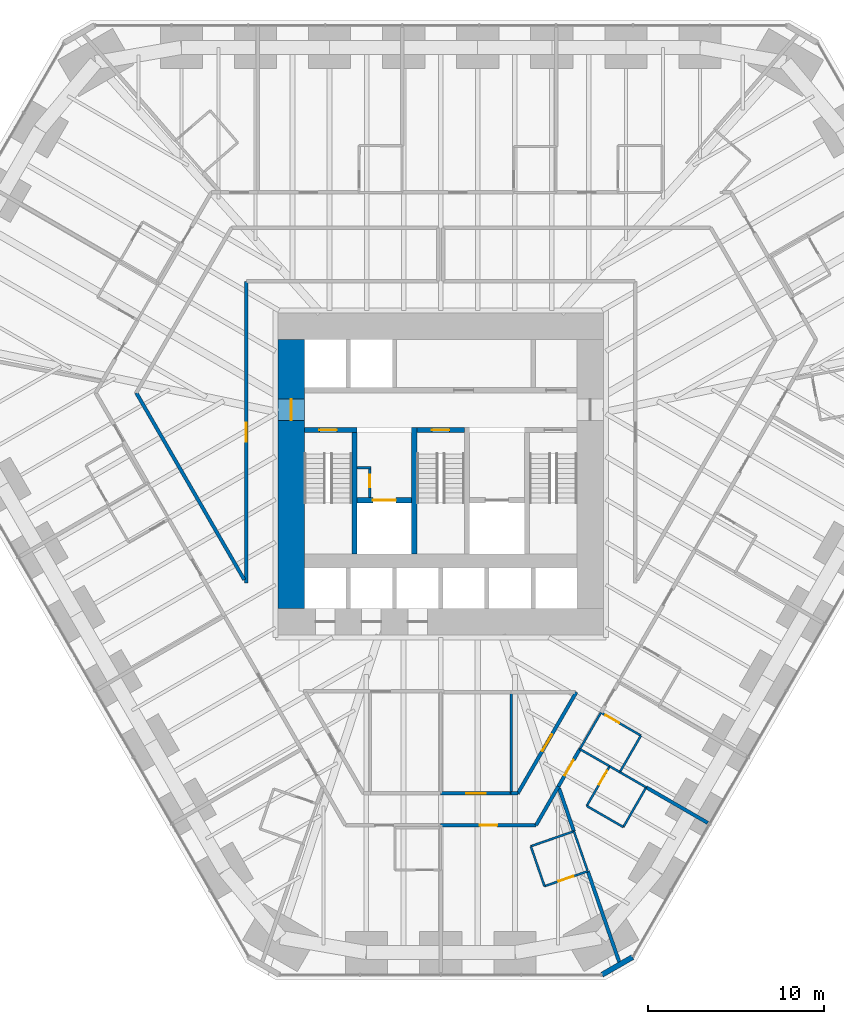
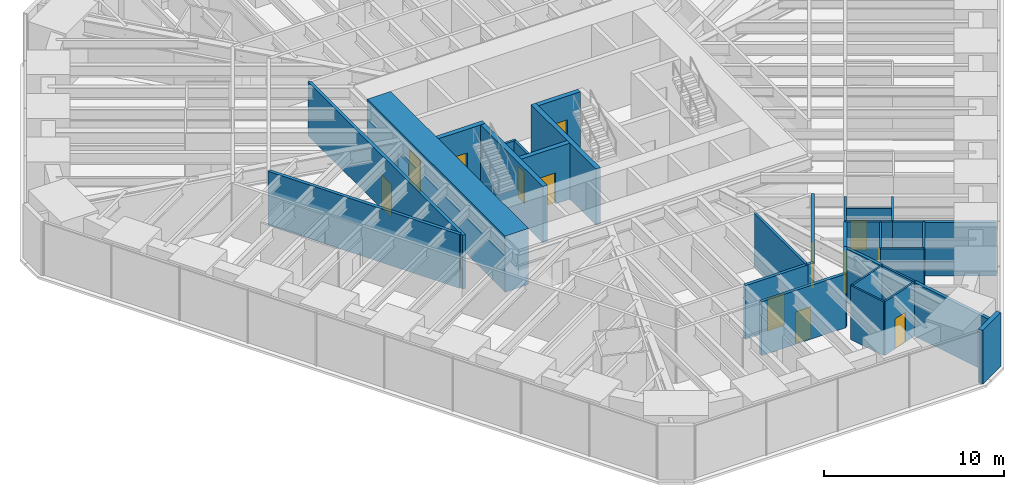
# One storey, part 12 of 17: 34 walls, 13 doors, 13 openings.
"""IFC4 building model written with IfcOpenShell, lengths in metres."""

from ifc_helpers import new_model, si_unit, direction, frame, frame_2d, origin, place, context, subcontext, project, spatial, rectangle, extrude, material, layer, layer_set, type_object, element, fill, save


model = new_model("IFC4")

# Units and contexts
model_context = context("Model", 3, precision=1e-05, world=origin(), true_north=direction((0.0, 1.0)))
body_context = subcontext(model_context, "Body", "Model", "MODEL_VIEW")
ifc_project = project(units=[si_unit("LENGTHUNIT", "METRE"), si_unit("AREAUNIT", "SQUARE_METRE"), si_unit("VOLUMEUNIT", "CUBIC_METRE"), si_unit("PLANEANGLEUNIT", "RADIAN"), si_unit("MASSUNIT", "GRAM", prefix="KILO")], contexts=[model_context])

# Site, building, storey
site_placement = place(None, origin())
site = spatial("IfcSite", under=ifc_project, at=site_placement, CompositionType="ELEMENT")
building_placement = place(site_placement, origin())
building = spatial("IfcBuilding", under=site, at=building_placement, Name="Sandreach Pilgrim Tower", CompositionType="ELEMENT")
storey_placement = place(building_placement, frame((0.0, 0.0, 34.39990234375)))
storey = spatial("IfcBuildingStorey", under=building, at=storey_placement, Name="L07", CompositionType="ELEMENT", Elevation=34.39990234375)

# Walls
ifc_material_1 = material(Name="Gypsum board on steel studs", Category="steel")
ifc_layer_1 = layer(ifc_material_1, 0.14990234375)
ifc_layer_set_1 = layer_set([ifc_layer_1], Name="Back of house wall 150")
wall_type_1 = type_object("IfcWallType", Name="Back of house wall 150", PredefinedType="PARTITIONING", material=ifc_layer_set_1)
wall_1_placement = place(storey_placement, frame((4.0, -13.949951171875, 0.0), z_axis=(0.0, 0.0, 1.0), x_axis=(0.0, -1.0, 0.0)))
element("IfcWall", 1, at=wall_1_placement, inside=storey, type_object=wall_type_1, Name="Back of house wall L07-075", PredefinedType="PARTITIONING", context=body_context, shape_type="SweptSolid", body=[
    extrude(rectangle(XDim=5.760009765625, YDim=0.14990234375, at=frame_2d((2.8798828125, 0.0))), origin(), (0.0, 0.0, 1.0), 3.64013671875),
])
ifc_material_2 = material(Name="Moisture-resistant gypsum board on steel studs", Category="steel")
ifc_layer_2 = layer(ifc_material_2, 0.1201171875)
ifc_layer_set_2 = layer_set([ifc_layer_2], Name="Bathroom partition 120")
wall_type_2 = type_object("IfcWallType", Name="Bathroom partition 120", PredefinedType="PARTITIONING", material=ifc_layer_set_2)
wall_2_placement = place(storey_placement, frame((5.1201171875, -22.7099609375, 0.0), z_axis=(0.0, 0.0, 1.0), x_axis=(0.324880771143, -0.945754981241, 0.0)))
element("IfcWall", 2, at=wall_2_placement, inside=storey, type_object=wall_type_2, Name="Bathroom partition L07-080", PredefinedType="PARTITIONING", context=body_context, shape_type="SweptSolid", body=[
    extrude(rectangle(XDim=2.400146484375, YDim=0.1201171875, at=frame_2d((1.2001953125, 0.0))), origin(), (0.0, 0.0, 1.0), 3.64013671875),
])

# Wall, opening, door
wall_3_placement = place(storey_placement, frame((5.89990234375, -24.97998046875, 0.0), z_axis=(0.0, 0.0, 1.0), x_axis=(0.945165466094, 0.326591857987, 0.0)))
wall_3 = element("IfcWall", 3, at=wall_3_placement, inside=storey, type_object=wall_type_2, Name="Bathroom partition L07-082", PredefinedType="PARTITIONING", context=body_context, shape_type="SweptSolid", body=[
    extrude(rectangle(XDim=2.60302734375, YDim=0.1201171875, at=frame_2d((1.301513671875, 0.0))), origin(), (0.0, 0.0, 1.0), 3.64013671875),
])
opening_1_placement = place(wall_3_placement, frame((0.85009765625, 0.0, 0.0)))
opening_1 = element("IfcOpeningElement", 4, at=opening_1_placement, cuts=wall_3, Name="Opening D09-12B", PredefinedType="OPENING", context=body_context, shape_type="SweptSolid", body=[
    extrude(rectangle(XDim=0.89990234375, YDim=2.030029296875, at=frame_2d((0.449951171875, 1.01513671875))), frame((0.0, 0.06005859375, 0.0), z_axis=(0.0, -1.0, 0.0), x_axis=(1.0, 0.0, 0.0)), (0.0, 0.0, 1.0), 0.1201171875),
])
ifc_material_3 = material(Name="Timber door, steel frame", Category="steel")
door_type_1 = type_object("IfcDoorType", Name="Bathroom door", OperationType="SINGLE_SWING_LEFT", PredefinedType="DOOR", material=ifc_material_3)
door_1_placement = place(opening_1_placement, origin())
door_1 = element("IfcDoor", 5, at=door_1_placement, inside=storey, type_object=door_type_1, Name="Door 0712B", OperationType="SINGLE_SWING_LEFT", OverallHeight=2.030029296875, OverallWidth=0.89990234375, PredefinedType="DOOR", context=body_context, shape_type="SweptSolid", body=[
    extrude(rectangle(XDim=0.89990234375, YDim=2.030029296875, at=frame_2d((0.449951171875, 1.01513671875))), frame((0.0, 0.02490234375, 0.0), z_axis=(0.0, -1.0, 0.0), x_axis=(1.0, 0.0, 0.0)), (0.0, 0.0, 1.0), 0.050048828125),
])
fill(opening_1, door_1)

# Walls
wall_4_placement = place(storey_placement, frame((7.570068359375, -21.860107421875, 0.0), z_axis=(0.0, 0.0, 1.0), x_axis=(-0.944782191137, -0.327698964463, 0.0)))
element("IfcWall", 6, at=wall_4_placement, inside=storey, type_object=wall_type_2, Name="Bathroom partition L07-089", PredefinedType="PARTITIONING", context=body_context, shape_type="SweptSolid", body=[
    extrude(rectangle(XDim=2.593505859375, YDim=0.1201171875, at=frame_2d((1.296875, 0.0))), origin(), (0.0, 0.0, 1.0), 3.64013671875),
])
wall_5_placement = place(storey_placement, frame((7.570068359375, -21.860107421875, 0.0), z_axis=(0.0, 0.0, 1.0), x_axis=(0.327706459026, -0.944779591605, 0.0)))
element("IfcWall", 7, at=wall_5_placement, inside=storey, type_object=wall_type_2, Name="Bathroom partition L07-090", PredefinedType="PARTITIONING", context=body_context, shape_type="SweptSolid", body=[
    extrude(rectangle(XDim=2.349609375, YDim=0.1201171875, at=frame_2d((1.1748046875, 0.0))), origin(), (0.0, 0.0, 1.0), 3.64013671875),
])
wall_6_placement = place(storey_placement, frame((7.909912109375, -17.18994140625, 0.0), z_axis=(0.0, 0.0, 1.0), x_axis=(0.499737123639, 0.866177122335, 0.0)))
element("IfcWall", 8, at=wall_6_placement, inside=storey, type_object=wall_type_2, Name="Bathroom partition L07-092", PredefinedType="PARTITIONING", context=body_context, shape_type="SweptSolid", body=[
    extrude(rectangle(XDim=2.401123046875, YDim=0.1201171875, at=frame_2d((1.20068359375, 0.0))), origin(), (0.0, 0.0, 1.0), 3.64013671875),
])
wall_7_placement = place(storey_placement, frame((7.909912109375, -17.18994140625, 0.0), z_axis=(0.0, 0.0, 1.0), x_axis=(0.8673242112, -0.497743621421, 0.0)))
element("IfcWall", 9, at=wall_7_placement, inside=storey, type_object=wall_type_2, Name="Bathroom partition L07-093", PredefinedType="PARTITIONING", context=body_context, shape_type="SweptSolid", body=[
    extrude(rectangle(XDim=1.94873046875, YDim=0.1201171875, at=frame_2d((0.974365234375, 0.0))), origin(), (0.0, 0.0, 1.0), 3.64013671875),
])
wall_8_placement = place(storey_placement, frame((8.300048828125, -20.419921875, 0.0), z_axis=(0.0, 0.0, 1.0), x_axis=(0.866177122335, -0.499737123639, 0.0)))
element("IfcWall", 10, at=wall_8_placement, inside=storey, type_object=wall_type_2, Name="Bathroom partition L07-094", PredefinedType="PARTITIONING", context=body_context, shape_type="SweptSolid", body=[
    extrude(rectangle(XDim=2.401123046875, YDim=0.1201171875, at=frame_2d((1.20068359375, 0.0))), origin(), (0.0, 0.0, 1.0), 3.64013671875),
])

# Wall, opening, door
wall_9_placement = place(storey_placement, frame((9.60009765625, -18.159912109375, 0.0), z_axis=(0.0, 0.0, 1.0), x_axis=(-0.498627694264, -0.866816256489, 0.0)))
wall_9 = element("IfcWall", 11, at=wall_9_placement, inside=storey, type_object=wall_type_2, Name="Bathroom partition L07-097", PredefinedType="PARTITIONING", context=body_context, shape_type="SweptSolid", body=[
    extrude(rectangle(XDim=2.607177734375, YDim=0.1201171875, at=frame_2d((1.3037109375, 0.0))), origin(), (0.0, 0.0, 1.0), 3.64013671875),
])
opening_2_placement = place(wall_9_placement, frame((0.300048828125, 0.0, 0.0)))
opening_2 = element("IfcOpeningElement", 12, at=opening_2_placement, cuts=wall_9, Name="Opening D09-11B", PredefinedType="OPENING", context=body_context, shape_type="SweptSolid", body=[
    extrude(rectangle(XDim=0.89990234375, YDim=2.030029296875, at=frame_2d((0.449951171875, 1.01513671875))), frame((0.0, 0.06005859375, 0.0), z_axis=(0.0, -1.0, 0.0), x_axis=(1.0, 0.0, 0.0)), (0.0, 0.0, 1.0), 0.1201171875),
])
door_2_placement = place(opening_2_placement, origin())
door_2 = element("IfcDoor", 13, at=door_2_placement, inside=storey, type_object=door_type_1, Name="Door 0711B", OperationType="SINGLE_SWING_LEFT", OverallHeight=2.030029296875, OverallWidth=0.89990234375, PredefinedType="DOOR", context=body_context, shape_type="SweptSolid", body=[
    extrude(rectangle(XDim=0.89990234375, YDim=2.030029296875, at=frame_2d((0.449951171875, 1.01513671875))), frame((0.0, 0.02490234375, 0.0), z_axis=(0.0, -1.0, 0.0), x_axis=(1.0, 0.0, 0.0)), (0.0, 0.0, 1.0), 0.050048828125),
])
fill(opening_2, door_2)

# Walls
wall_10_placement = place(storey_placement, frame((9.60009765625, -18.159912109375, 0.0), z_axis=(0.0, 0.0, 1.0), x_axis=(0.862577739272, -0.505924543497, 0.0)))
element("IfcWall", 14, at=wall_10_placement, inside=storey, type_object=wall_type_2, Name="Bathroom partition L07-098", PredefinedType="PARTITIONING", context=body_context, shape_type="SweptSolid", body=[
    extrude(rectangle(XDim=0.672119140625, YDim=0.1201171875, at=frame_2d((0.3359375, 0.0))), origin(), (0.0, 0.0, 1.0), 3.64013671875),
])
wall_11_placement = place(storey_placement, frame((10.179931640625, -18.5, 0.0), z_axis=(0.0, 0.0, 1.0), x_axis=(0.499693115345, 0.866202511239, 0.0)))
element("IfcWall", 15, at=wall_11_placement, inside=storey, type_object=wall_type_2, Name="Bathroom partition L07-103", PredefinedType="PARTITIONING", context=body_context, shape_type="SweptSolid", body=[
    extrude(rectangle(XDim=2.4013671875, YDim=0.1201171875, at=frame_2d((1.20068359375, 0.0))), origin(), (0.0, 0.0, 1.0), 3.64013671875),
])
wall_12_placement = place(storey_placement, frame((10.179931640625, -18.5, 0.0), z_axis=(0.0, 0.0, 1.0), x_axis=(0.867564547129, -0.497324598794, 0.0)))
element("IfcWall", 16, at=wall_12_placement, inside=storey, type_object=wall_type_2, Name="Bathroom partition L07-104", PredefinedType="PARTITIONING", context=body_context, shape_type="SweptSolid", body=[
    extrude(rectangle(XDim=1.72900390625, YDim=0.1201171875, at=frame_2d((0.864501953125, 0.0))), origin(), (0.0, 0.0, 1.0), 3.64013671875),
])
wall_13_placement = place(storey_placement, frame((10.3798828125, -21.6201171875, 0.0), z_axis=(0.0, 0.0, 1.0), x_axis=(0.498627694264, 0.866816256489, 0.0)))
element("IfcWall", 17, at=wall_13_placement, inside=storey, type_object=wall_type_2, Name="Bathroom partition L07-105", PredefinedType="PARTITIONING", context=body_context, shape_type="SweptSolid", body=[
    extrude(rectangle(XDim=2.607177734375, YDim=0.1201171875, at=frame_2d((1.3037109375, 0.0))), origin(), (0.0, 0.0, 1.0), 3.64013671875),
])

# Wall, opening, door
wall_14_placement = place(storey_placement, frame((11.3798828125, -16.419921875, 0.0), z_axis=(0.0, 0.0, 1.0), x_axis=(-0.866154567199, 0.49977621564, 0.0)))
wall_14 = element("IfcWall", 18, at=wall_14_placement, inside=storey, type_object=wall_type_2, Name="Bathroom partition L07-109", PredefinedType="PARTITIONING", context=body_context, shape_type="SweptSolid", body=[
    extrude(rectangle(XDim=2.620849609375, YDim=0.1201171875, at=frame_2d((1.310546875, 0.0))), origin(), (0.0, 0.0, 1.0), 2.878173828125),
])
opening_3_placement = place(wall_14_placement, frame((1.4208984375, 0.0, 0.0)))
opening_3 = element("IfcOpeningElement", 19, at=opening_3_placement, cuts=wall_14, Name="Opening D09-10B", PredefinedType="OPENING", context=body_context, shape_type="SweptSolid", body=[
    extrude(rectangle(XDim=0.89990234375, YDim=2.030029296875, at=frame_2d((0.449951171875, 1.01513671875))), frame((0.0, 0.06005859375, 0.0), z_axis=(0.0, -1.0, 0.0), x_axis=(1.0, 0.0, 0.0)), (0.0, 0.0, 1.0), 0.1201171875),
])
door_3_placement = place(opening_3_placement, origin())
door_3 = element("IfcDoor", 20, at=door_3_placement, inside=storey, type_object=door_type_1, Name="Door 0710B", OperationType="SINGLE_SWING_RIGHT", OverallHeight=2.030029296875, OverallWidth=0.89990234375, PredefinedType="DOOR", context=body_context, shape_type="SweptSolid", body=[
    extrude(rectangle(XDim=0.89990234375, YDim=2.030029296875, at=frame_2d((0.449951171875, 1.01513671875))), frame((0.0, 0.02490234375, 0.0), z_axis=(0.0, -1.0, 0.0), x_axis=(1.0, 0.0, 0.0)), (0.0, 0.0, 1.0), 0.050048828125),
])
fill(opening_3, door_3)

# Walls
ifc_material_4 = material(Name="Concrete 10000 psi", Category="concrete")
ifc_layer_3 = layer(ifc_material_4, 0.300048828125)
ifc_layer_set_3 = layer_set([ifc_layer_3], Name="Core inner wall 300")
wall_type_3 = type_object("IfcWallType", Name="Core inner wall 300", PredefinedType="SHEAR", material=ifc_layer_set_3)
for number, where, z_axis, x_axis, name in (
    (21, (-4.89990234375, -6.10009765625, 0.0), (0.0, 0.0, 1.0), (0.0, 1.0, 0.0), "Core wall I0 L07"),
    (22, (-1.5, -6.10009765625, 0.0), (0.0, 0.0, 1.0), (0.0, 1.0, 0.0), "Core wall I1 L07"),
):
    element("IfcWall", number, at=place(storey_placement, frame(where, z_axis=z_axis, x_axis=x_axis)), inside=storey, type_object=wall_type_3, Name=name, PredefinedType="SHEAR", context=body_context, shape_type="SweptSolid", body=[
        extrude(rectangle(XDim=7.2001953125, YDim=0.300048828125, at=frame_2d((3.60009765625, 0.0))), origin(), (0.0, 0.0, 1.0), 3.800048828125),
    ])

# Wall, opening, door
wall_15_placement = place(storey_placement, frame((-7.75, 0.949951171875, 0.0), z_axis=(0.0, 0.0, 1.0), x_axis=(1.0, 0.0, 0.0)))
wall_15 = element("IfcWall", 23, at=wall_15_placement, inside=storey, type_object=wall_type_3, Name="Core wall SN1 L07", PredefinedType="SHEAR", context=body_context, shape_type="SweptSolid", body=[
    extrude(rectangle(XDim=3.0, YDim=0.300048828125, at=frame_2d((1.5, 0.0))), origin(), (0.0, 0.0, 1.0), 3.800048828125),
])
opening_4_placement = place(wall_15_placement, frame((0.85009765625, 0.0, 0.0)))
opening_4 = element("IfcOpeningElement", 24, at=opening_4_placement, cuts=wall_15, Name="Opening D10S-ST1", PredefinedType="OPENING", context=body_context, shape_type="SweptSolid", body=[
    extrude(rectangle(XDim=1.0, YDim=2.199951171875, at=frame_2d((0.5, 1.10009765625))), frame((0.0, 0.14990234375, 0.0), z_axis=(0.0, -1.0, 0.0), x_axis=(1.0, 0.0, 0.0)), (0.0, 0.0, 1.0), 0.300048828125),
])
ifc_material_5 = material(Name="Steel door and frame", Category="steel")
door_type_2 = type_object("IfcDoorType", Name="Stair door", OperationType="SINGLE_SWING_LEFT", PredefinedType="DOOR", material=ifc_material_5)
door_4_placement = place(opening_4_placement, origin())
door_4 = element("IfcDoor", 25, at=door_4_placement, inside=storey, type_object=door_type_2, Name="Stair door ST1 L07", OperationType="SINGLE_SWING_LEFT", OverallHeight=2.199951171875, OverallWidth=1.0, PredefinedType="DOOR", context=body_context, shape_type="SweptSolid", body=[
    extrude(rectangle(XDim=1.0, YDim=2.199951171875, at=frame_2d((0.5, 1.10009765625))), frame((0.0, 0.02490234375, 0.0), z_axis=(0.0, -1.0, 0.0), x_axis=(1.0, 0.0, 0.0)), (0.0, 0.0, 1.0), 0.050048828125),
])
fill(opening_4, door_4)

wall_16_placement = place(storey_placement, frame((-1.35009765625, 0.949951171875, 0.0), z_axis=(0.0, 0.0, 1.0), x_axis=(1.0, 0.0, 0.0)))
wall_16 = element("IfcWall", 26, at=wall_16_placement, inside=storey, type_object=wall_type_3, Name="Core wall SN3 L07", PredefinedType="SHEAR", context=body_context, shape_type="SweptSolid", body=[
    extrude(rectangle(XDim=2.7001953125, YDim=0.300048828125, at=frame_2d((1.35009765625, 0.0))), origin(), (0.0, 0.0, 1.0), 3.800048828125),
])
opening_5_placement = place(wall_16_placement, frame((0.85009765625, 0.0, 0.0)))
opening_5 = element("IfcOpeningElement", 27, at=opening_5_placement, cuts=wall_16, Name="Opening D10S-ST3", PredefinedType="OPENING", context=body_context, shape_type="SweptSolid", body=[
    extrude(rectangle(XDim=1.0, YDim=2.199951171875, at=frame_2d((0.5, 1.10009765625))), frame((0.0, 0.14990234375, 0.0), z_axis=(0.0, -1.0, 0.0), x_axis=(1.0, 0.0, 0.0)), (0.0, 0.0, 1.0), 0.300048828125),
])
door_5_placement = place(opening_5_placement, origin())
door_5 = element("IfcDoor", 28, at=door_5_placement, inside=storey, type_object=door_type_2, Name="Stair door ST3 L07", OperationType="SINGLE_SWING_LEFT", OverallHeight=2.199951171875, OverallWidth=1.0, PredefinedType="DOOR", context=body_context, shape_type="SweptSolid", body=[
    extrude(rectangle(XDim=1.0, YDim=2.199951171875, at=frame_2d((0.5, 1.10009765625))), frame((0.0, 0.02490234375, 0.0), z_axis=(0.0, -1.0, 0.0), x_axis=(1.0, 0.0, 0.0)), (0.0, 0.0, 1.0), 0.050048828125),
])
fill(opening_5, door_5)

wall_17_placement = place(storey_placement, frame((-4.75, -3.050048828125, 0.0), z_axis=(0.0, 0.0, 1.0), x_axis=(1.0, 0.0, 0.0)))
wall_17 = element("IfcWall", 29, at=wall_17_placement, inside=storey, type_object=wall_type_3, Name="Core wall FL1 L07", PredefinedType="SHEAR", context=body_context, shape_type="SweptSolid", body=[
    extrude(rectangle(XDim=3.10009765625, YDim=0.300048828125, at=frame_2d((1.550048828125, 0.0))), origin(), (0.0, 0.0, 1.0), 3.800048828125),
])
opening_6_placement = place(wall_17_placement, frame((0.89990234375, 0.0, 0.0)))
opening_6 = element("IfcOpeningElement", 30, at=opening_6_placement, cuts=wall_17, Name="Opening LD13", PredefinedType="OPENING", context=body_context, shape_type="SweptSolid", body=[
    extrude(rectangle(XDim=1.300048828125, YDim=2.10009765625, at=frame_2d((0.64990234375, 1.050048828125))), frame((0.0, 0.14990234375, 0.0), z_axis=(0.0, -1.0, 0.0), x_axis=(1.0, 0.0, 0.0)), (0.0, 0.0, 1.0), 0.300048828125),
])
ifc_material_6 = material(Name="Steel door and frame", Category="steel")
door_type_3 = type_object("IfcDoorType", Name="Fire service lift landing door", OperationType="DOUBLE_DOOR_SLIDING", PredefinedType="DOOR", material=ifc_material_6)
door_6_placement = place(opening_6_placement, origin())
door_6 = element("IfcDoor", 31, at=door_6_placement, inside=storey, type_object=door_type_3, Name="Lift landing door FS1 L07", OperationType="DOUBLE_DOOR_SLIDING", OverallHeight=2.10009765625, OverallWidth=1.300048828125, PredefinedType="DOOR", context=body_context, shape_type="SweptSolid", body=[
    extrude(rectangle(XDim=1.300048828125, YDim=2.10009765625, at=frame_2d((0.64990234375, 1.050048828125))), frame((0.0, 0.02490234375, 0.0), z_axis=(0.0, -1.0, 0.0), x_axis=(1.0, 0.0, 0.0)), (0.0, 0.0, 1.0), 0.050048828125),
])
fill(opening_6, door_6)

ifc_material_7 = material(Name="Concrete 10000 psi", Category="concrete")
ifc_layer_4 = layer(ifc_material_7, 1.5)
ifc_layer_set_4 = layer_set([ifc_layer_4], Name="Core wall 1500")
wall_type_4 = type_object("IfcWallType", Name="Core wall 1500", PredefinedType="SHEAR", material=ifc_layer_set_4)
wall_18_placement = place(storey_placement, frame((-8.5, -9.199951171875, 0.0), z_axis=(0.0, 0.0, 1.0), x_axis=(0.0, 1.0, 0.0)))
wall_18 = element("IfcWall", 32, at=wall_18_placement, inside=storey, type_object=wall_type_4, Name="Core wall W L07", PredefinedType="SHEAR", context=body_context, shape_type="SweptSolid", body=[
    extrude(rectangle(XDim=15.300048828125, YDim=1.5, at=frame_2d((7.64990234375, 0.0))), origin(), (0.0, 0.0, 1.0), 3.800048828125),
])
opening_7_placement = place(wall_18_placement, frame((10.699951171875, 0.0, 0.0)))
opening_7 = element("IfcOpeningElement", 33, at=opening_7_placement, cuts=wall_18, Name="Opening D12F-W", PredefinedType="OPENING", context=body_context, shape_type="SweptSolid", body=[
    extrude(rectangle(XDim=1.199951171875, YDim=2.199951171875, at=frame_2d((0.60009765625, 1.10009765625))), frame((0.0, 0.75, 0.0), z_axis=(0.0, -1.0, 0.0), x_axis=(1.0, 0.0, 0.0)), (0.0, 0.0, 1.0), 1.5),
])
ifc_material_8 = material(Name="Steel door and frame", Category="steel")
door_type_4 = type_object("IfcDoorType", Name="Fire lobby door", OperationType="SINGLE_SWING_LEFT", PredefinedType="DOOR", material=ifc_material_8)
door_7_placement = place(opening_7_placement, origin())
door_7 = element("IfcDoor", 34, at=door_7_placement, inside=storey, type_object=door_type_4, Name="Fire service lobby door W L07", OperationType="SINGLE_SWING_RIGHT", OverallHeight=2.199951171875, OverallWidth=1.199951171875, PredefinedType="DOOR", context=body_context, shape_type="SweptSolid", body=[
    extrude(rectangle(XDim=1.199951171875, YDim=2.199951171875, at=frame_2d((0.60009765625, 1.10009765625))), frame((0.0, 0.02490234375, 0.0), z_axis=(0.0, -1.0, 0.0), x_axis=(1.0, 0.0, 0.0)), (0.0, 0.0, 1.0), 0.050048828125),
])
fill(opening_7, door_7)

# Wall
ifc_material_9 = material(Name="Gypsum board on steel studs, two layers each side", Category="steel")
ifc_layer_5 = layer(ifc_material_9, 0.199951171875)
ifc_layer_set_5 = layer_set([ifc_layer_5], Name="Corridor wall 200")
wall_type_5 = type_object("IfcWallType", Name="Corridor wall 200", PredefinedType="PARTITIONING", material=ifc_layer_set_5)
wall_19_placement = place(storey_placement, frame((-11.16015625, -7.569580078125, 0.0), z_axis=(0.0, 0.0, 1.0), x_axis=(-0.500175206663, 0.865924224537, 0.0)))
element("IfcWall", 35, at=wall_19_placement, inside=storey, type_object=wall_type_5, Name="Corridor wall L07-037", PredefinedType="PARTITIONING", context=body_context, shape_type="SweptSolid", body=[
    extrude(rectangle(XDim=12.275390625, YDim=0.199951171875, at=frame_2d((6.1376953125, 0.0))), origin(), (0.0, 0.0, 1.0), 3.64013671875),
])

# Wall, opening, door
wall_20_placement = place(storey_placement, frame((-11.050048828125, 9.39990234375, 0.0), z_axis=(0.0, 0.0, 1.0), x_axis=(0.0, -1.0, 0.0)))
wall_20 = element("IfcWall", 36, at=wall_20_placement, inside=storey, type_object=wall_type_5, Name="Corridor wall L07-038", PredefinedType="PARTITIONING", context=body_context, shape_type="SweptSolid", body=[
    extrude(rectangle(XDim=17.159912109375, YDim=0.199951171875, at=frame_2d((8.580078125, 0.0))), origin(), (0.0, 0.0, 1.0), 3.64013671875),
])
opening_8_placement = place(wall_20_placement, frame((8.030029296875, 0.0, 0.0)))
opening_8 = element("IfcOpeningElement", 37, at=opening_8_placement, cuts=wall_20, Name="Opening D11H-M1", PredefinedType="OPENING", context=body_context, shape_type="SweptSolid", body=[
    extrude(rectangle(XDim=1.10009765625, YDim=2.199951171875, at=frame_2d((0.550048828125, 1.10009765625))), frame((0.0, 0.10009765625, 0.0), z_axis=(0.0, -1.0, 0.0), x_axis=(1.0, 0.0, 0.0)), (0.0, 0.0, 1.0), 0.199951171875),
])
ifc_material_10 = material(Name="Steel door and frame", Category="steel")
door_type_5 = type_object("IfcDoorType", Name="Back of house door", OperationType="SINGLE_SWING_LEFT", PredefinedType="DOOR", material=ifc_material_10)
door_8_placement = place(opening_8_placement, origin())
door_8 = element("IfcDoor", 38, at=door_8_placement, inside=storey, type_object=door_type_5, Name="Door 07M1", OperationType="SINGLE_SWING_LEFT", OverallHeight=2.199951171875, OverallWidth=1.10009765625, PredefinedType="DOOR", context=body_context, shape_type="SweptSolid", body=[
    extrude(rectangle(XDim=1.10009765625, YDim=2.199951171875, at=frame_2d((0.550048828125, 1.10009765625))), frame((0.0, 0.02490234375, 0.0), z_axis=(0.0, -1.0, 0.0), x_axis=(1.0, 0.0, 0.0)), (0.0, 0.0, 1.0), 0.050048828125),
])
fill(opening_8, door_8)

wall_21_placement = place(storey_placement, frame((0.0, -21.510009765625, 0.0), z_axis=(0.0, 0.0, 1.0), x_axis=(1.0, 0.0, 0.0)))
wall_21 = element("IfcWall", 39, at=wall_21_placement, inside=storey, type_object=wall_type_5, Name="Corridor wall L07-067", PredefinedType="PARTITIONING", context=body_context, shape_type="SweptSolid", body=[
    extrude(rectangle(XDim=5.419921875, YDim=0.199951171875, at=frame_2d((2.7099609375, 0.0))), origin(), (0.0, 0.0, 1.0), 3.64013671875),
])
opening_9_placement = place(wall_21_placement, frame((2.2099609375, 0.0, 0.0)))
opening_9 = element("IfcOpeningElement", 40, at=opening_9_placement, cuts=wall_21, Name="Opening D10-12", PredefinedType="OPENING", context=body_context, shape_type="SweptSolid", body=[
    extrude(rectangle(XDim=1.0, YDim=2.1298828125, at=frame_2d((0.5, 1.06494140625))), frame((0.0, 0.10009765625, 0.0), z_axis=(0.0, -1.0, 0.0), x_axis=(1.0, 0.0, 0.0)), (0.0, 0.0, 1.0), 0.199951171875),
])
ifc_material_11 = material(Name="Steel door and frame", Category="steel")
door_type_6 = type_object("IfcDoorType", Name="Guest room entry door", OperationType="SINGLE_SWING_LEFT", PredefinedType="DOOR", material=ifc_material_11)
door_9_placement = place(opening_9_placement, origin())
door_9 = element("IfcDoor", 41, at=door_9_placement, inside=storey, type_object=door_type_6, Name="Door 0712", OperationType="SINGLE_SWING_LEFT", OverallHeight=2.1298828125, OverallWidth=1.0, PredefinedType="DOOR", context=body_context, shape_type="SweptSolid", body=[
    extrude(rectangle(XDim=1.0, YDim=2.1298828125, at=frame_2d((0.5, 1.06494140625))), frame((0.0, 0.02490234375, 0.0), z_axis=(0.0, -1.0, 0.0), x_axis=(1.0, 0.0, 0.0)), (0.0, 0.0, 1.0), 0.050048828125),
])
fill(opening_9, door_9)

wall_22_placement = place(storey_placement, frame((4.0, -19.7099609375, 0.0), z_axis=(0.0, 0.0, 1.0), x_axis=(-1.0, 0.0, 0.0)))
wall_22 = element("IfcWall", 42, at=wall_22_placement, inside=storey, type_object=wall_type_5, Name="Corridor wall L07-074", PredefinedType="PARTITIONING", context=body_context, shape_type="SweptSolid", body=[
    extrude(rectangle(XDim=4.0, YDim=0.199951171875, at=frame_2d((2.0, 0.0))), origin(), (0.0, 0.0, 1.0), 3.64013671875),
])
opening_10_placement = place(wall_22_placement, frame((1.449951171875, 0.0, 0.0)))
opening_10 = element("IfcOpeningElement", 43, at=opening_10_placement, cuts=wall_22, Name="Opening D11H-S3", PredefinedType="OPENING", context=body_context, shape_type="SweptSolid", body=[
    extrude(rectangle(XDim=1.10009765625, YDim=2.199951171875, at=frame_2d((0.550048828125, 1.10009765625))), frame((0.0, 0.10009765625, 0.0), z_axis=(0.0, -1.0, 0.0), x_axis=(1.0, 0.0, 0.0)), (0.0, 0.0, 1.0), 0.199951171875),
])
door_10_placement = place(opening_10_placement, origin())
door_10 = element("IfcDoor", 44, at=door_10_placement, inside=storey, type_object=door_type_5, Name="Door 07S3", OperationType="SINGLE_SWING_LEFT", OverallHeight=2.199951171875, OverallWidth=1.10009765625, PredefinedType="DOOR", context=body_context, shape_type="SweptSolid", body=[
    extrude(rectangle(XDim=1.10009765625, YDim=2.199951171875, at=frame_2d((0.550048828125, 1.10009765625))), frame((0.0, 0.02490234375, 0.0), z_axis=(0.0, -1.0, 0.0), x_axis=(1.0, 0.0, 0.0)), (0.0, 0.0, 1.0), 0.050048828125),
])
fill(opening_10, door_10)

# Walls
wall_23_placement = place(storey_placement, frame((4.3798828125, -19.7099609375, 0.0), z_axis=(0.0, 0.0, 1.0), x_axis=(-1.0, 0.0, 0.0)))
element("IfcWall", 45, at=wall_23_placement, inside=storey, type_object=wall_type_5, Name="Corridor wall L07-079", PredefinedType="PARTITIONING", context=body_context, shape_type="SweptSolid", body=[
    extrude(rectangle(XDim=0.3798828125, YDim=0.199951171875, at=frame_2d((0.18994140625, 0.0))), origin(), (0.0, 0.0, 1.0), 3.64013671875),
])
wall_24_placement = place(storey_placement, frame((5.419921875, -21.510009765625, 0.0), z_axis=(0.0, 0.0, 1.0), x_axis=(0.499963722229, 0.866046347752, 0.0)))
element("IfcWall", 46, at=wall_24_placement, inside=storey, type_object=wall_type_5, Name="Corridor wall L07-081", PredefinedType="PARTITIONING", context=body_context, shape_type="SweptSolid", body=[
    extrude(rectangle(XDim=2.540283203125, YDim=0.199951171875, at=frame_2d((1.27001953125, 0.0))), origin(), (0.0, 0.0, 1.0), 3.64013671875),
])

# Wall, opening, door
wall_25_placement = place(storey_placement, frame((6.68994140625, -19.31005859375, 0.0), z_axis=(0.0, 0.0, 1.0), x_axis=(0.498748634132, 0.866746675766, 0.0)))
wall_25 = element("IfcWall", 47, at=wall_25_placement, inside=storey, type_object=wall_type_5, Name="Corridor wall L07-087", PredefinedType="PARTITIONING", context=body_context, shape_type="SweptSolid", body=[
    extrude(rectangle(XDim=2.446044921875, YDim=0.199951171875, at=frame_2d((1.22314453125, 0.0))), origin(), (0.0, 0.0, 1.0), 3.64013671875),
])
opening_11_placement = place(wall_25_placement, frame((0.722900390625, 0.0, 0.0)))
opening_11 = element("IfcOpeningElement", 48, at=opening_11_placement, cuts=wall_25, Name="Opening D10-11", PredefinedType="OPENING", context=body_context, shape_type="SweptSolid", body=[
    extrude(rectangle(XDim=1.0, YDim=2.1298828125, at=frame_2d((0.5, 1.06494140625))), frame((0.0, 0.10009765625, 0.0), z_axis=(0.0, -1.0, 0.0), x_axis=(1.0, 0.0, 0.0)), (0.0, 0.0, 1.0), 0.199951171875),
])
door_11_placement = place(opening_11_placement, origin())
door_11 = element("IfcDoor", 49, at=door_11_placement, inside=storey, type_object=door_type_6, Name="Door 0711", OperationType="SINGLE_SWING_LEFT", OverallHeight=2.1298828125, OverallWidth=1.0, PredefinedType="DOOR", context=body_context, shape_type="SweptSolid", body=[
    extrude(rectangle(XDim=1.0, YDim=2.1298828125, at=frame_2d((0.5, 1.06494140625))), frame((0.0, 0.02490234375, 0.0), z_axis=(0.0, -1.0, 0.0), x_axis=(1.0, 0.0, 0.0)), (0.0, 0.0, 1.0), 0.050048828125),
])
fill(opening_11, door_11)

wall_26_placement = place(storey_placement, frame((7.7099609375, -13.949951171875, 0.0), z_axis=(0.0, 0.0, 1.0), x_axis=(-0.500511113963, -0.865730110831, 0.0)))
wall_26 = element("IfcWall", 50, at=wall_26_placement, inside=storey, type_object=wall_type_5, Name="Corridor wall L07-091", PredefinedType="PARTITIONING", context=body_context, shape_type="SweptSolid", body=[
    extrude(rectangle(XDim=6.6533203125, YDim=0.199951171875, at=frame_2d((3.32666015625, 0.0))), origin(), (0.0, 0.0, 1.0), 3.64013671875),
])
opening_12_placement = place(wall_26_placement, frame((2.776611328125, 0.0, 0.0)))
opening_12 = element("IfcOpeningElement", 51, at=opening_12_placement, cuts=wall_26, Name="Opening D11H-S4", PredefinedType="OPENING", context=body_context, shape_type="SweptSolid", body=[
    extrude(rectangle(XDim=1.10009765625, YDim=2.199951171875, at=frame_2d((0.550048828125, 1.10009765625))), frame((0.0, 0.10009765625, 0.0), z_axis=(0.0, -1.0, 0.0), x_axis=(1.0, 0.0, 0.0)), (0.0, 0.0, 1.0), 0.199951171875),
])
door_12_placement = place(opening_12_placement, origin())
door_12 = element("IfcDoor", 52, at=door_12_placement, inside=storey, type_object=door_type_5, Name="Door 07S4", OperationType="SINGLE_SWING_LEFT", OverallHeight=2.199951171875, OverallWidth=1.10009765625, PredefinedType="DOOR", context=body_context, shape_type="SweptSolid", body=[
    extrude(rectangle(XDim=1.10009765625, YDim=2.199951171875, at=frame_2d((0.550048828125, 1.10009765625))), frame((0.0, 0.02490234375, 0.0), z_axis=(0.0, -1.0, 0.0), x_axis=(1.0, 0.0, 0.0)), (0.0, 0.0, 1.0), 0.050048828125),
])
fill(opening_12, door_12)

# Walls
ifc_material_12 = material(Name="Double steel stud acoustic wall, gypsum board", Category="steel")
ifc_layer_6 = layer(ifc_material_12, 0.199951171875)
ifc_layer_set_6 = layer_set([ifc_layer_6], Name="Party wall 200")
wall_type_6 = type_object("IfcWallType", Name="Party wall 200", PredefinedType="PARTITIONING", material=ifc_layer_set_6)
wall_27_placement = place(storey_placement, frame((6.724365234375, -19.4091796875, 0.0), z_axis=(0.0, 0.0, 1.0), x_axis=(0.326182205696, -0.945306917719, 0.0)))
element("IfcWall", 53, at=wall_27_placement, inside=storey, type_object=wall_type_6, Name="Party wall L07-088", PredefinedType="PARTITIONING", context=body_context, shape_type="SweptSolid", body=[
    extrude(rectangle(XDim=2.5927734375, YDim=0.199951171875, at=frame_2d((1.29638671875, 0.0))), origin(), (0.0, 0.0, 1.0), 3.64013671875),
])
wall_28_placement = place(storey_placement, frame((8.360107421875, -24.1298828125, 0.0), z_axis=(0.0, 0.0, 1.0), x_axis=(0.327332811485, -0.944909112309, 0.0)))
element("IfcWall", 54, at=wall_28_placement, inside=storey, type_object=wall_type_6, Name="Party wall L07-095", PredefinedType="PARTITIONING", context=body_context, shape_type="SweptSolid", body=[
    extrude(rectangle(XDim=5.621337890625, YDim=0.199951171875, at=frame_2d((2.810546875, 0.0))), origin(), (0.0, 0.0, 1.0), 3.64013671875),
])
wall_29_placement = place(storey_placement, frame((11.679931640625, -19.360107421875, 0.0), z_axis=(0.0, 0.0, 1.0), x_axis=(0.865885444553, -0.500242338183, 0.0)))
element("IfcWall", 55, at=wall_29_placement, inside=storey, type_object=wall_type_6, Name="Party wall L07-110", PredefinedType="PARTITIONING", context=body_context, shape_type="SweptSolid", body=[
    extrude(rectangle(XDim=4.03759765625, YDim=0.199951171875, at=frame_2d((2.018798828125, 0.0))), origin(), (0.0, 0.0, 1.0), 3.64013671875),
])

# Wall, opening, door
ifc_material_13 = material(Name="Gypsum shaft wall on steel studs, shaft liner board", Category="steel")
ifc_layer_7 = layer(ifc_material_13, 0.14990234375)
ifc_layer_set_7 = layer_set([ifc_layer_7], Name="Riser shaft wall 150")
wall_type_7 = type_object("IfcWallType", Name="Riser shaft wall 150", PredefinedType="PARTITIONING", material=ifc_layer_set_7)
wall_30_placement = place(storey_placement, frame((-4.02490234375, -2.89990234375, 0.0), z_axis=(0.0, 0.0, 1.0), x_axis=(0.0, 1.0, 0.0)))
wall_30 = element("IfcWall", 56, at=wall_30_placement, inside=storey, type_object=wall_type_7, Name="Riser partition L07 side", PredefinedType="PARTITIONING", context=body_context, shape_type="SweptSolid", body=[
    extrude(rectangle(XDim=1.77490234375, YDim=0.14990234375, at=frame_2d((0.887451171875, 0.0))), origin(), (0.0, 0.0, 1.0), 3.64013671875),
])
opening_13_placement = place(wall_30_placement, frame((0.60009765625, 0.0, 0.0)))
opening_13 = element("IfcOpeningElement", 57, at=opening_13_placement, cuts=wall_30, Name="Opening D07R", PredefinedType="OPENING", context=body_context, shape_type="SweptSolid", body=[
    extrude(rectangle(XDim=0.699951171875, YDim=2.10009765625, at=frame_2d((0.35009765625, 1.050048828125))), frame((0.0, 0.074951171875, 0.0), z_axis=(0.0, -1.0, 0.0), x_axis=(1.0, 0.0, 0.0)), (0.0, 0.0, 1.0), 0.14990234375),
])
ifc_material_14 = material(Name="Steel door and frame, smoke seals", Category="steel")
door_type_7 = type_object("IfcDoorType", Name="Riser access door", OperationType="SINGLE_SWING_RIGHT", PredefinedType="DOOR", material=ifc_material_14)
door_13_placement = place(opening_13_placement, origin())
door_13 = element("IfcDoor", 58, at=door_13_placement, inside=storey, type_object=door_type_7, Name="Door riser 07ER", OperationType="SINGLE_SWING_RIGHT", OverallHeight=2.10009765625, OverallWidth=0.699951171875, PredefinedType="DOOR", context=body_context, shape_type="SweptSolid", body=[
    extrude(rectangle(XDim=0.699951171875, YDim=2.10009765625, at=frame_2d((0.35009765625, 1.050048828125))), frame((0.0, 0.02490234375, 0.0), z_axis=(0.0, -1.0, 0.0), x_axis=(1.0, 0.0, 0.0)), (0.0, 0.0, 1.0), 0.050048828125),
])
fill(opening_13, door_13)

# Walls
wall_31_placement = place(storey_placement, frame((-4.75, -1.199951171875, 0.0), z_axis=(0.0, 0.0, 1.0), x_axis=(1.0, 0.0, 0.0)))
element("IfcWall", 59, at=wall_31_placement, inside=storey, type_object=wall_type_7, Name="Riser partition L07 front", PredefinedType="PARTITIONING", context=body_context, shape_type="SweptSolid", body=[
    extrude(rectangle(XDim=0.800048828125, YDim=0.14990234375, at=frame_2d((0.39990234375, 0.0))), origin(), (0.0, 0.0, 1.0), 3.64013671875),
])
ifc_material_15 = material(Name="Terracotta rainscreen on concrete", Category="masonry")
ifc_layer_8 = layer(ifc_material_15, 0.300048828125)
ifc_layer_set_8 = layer_set([ifc_layer_8], Name="Terracotta chamfer pier")
wall_type_8 = type_object("IfcWallType", Name="Terracotta chamfer pier", PredefinedType="SOLIDWALL", material=ifc_layer_set_8)
wall_32_placement = place(storey_placement, frame((10.904052734375, -29.010986328125, 0.0), z_axis=(0.0, 0.0, 1.0), x_axis=(-0.866010750942, -0.50002537861, 0.0)))
element("IfcWall", 60, at=wall_32_placement, inside=storey, type_object=wall_type_8, Name="Chamfer pier L07 SE", PredefinedType="SOLIDWALL", context=body_context, shape_type="SweptSolid", body=[
    extrude(rectangle(XDim=2.0, YDim=0.300048828125, at=frame_2d((1.0, 0.0))), origin(), (0.0, 0.0, 1.0), 3.64013671875),
])

save(model, "model.ifc")
